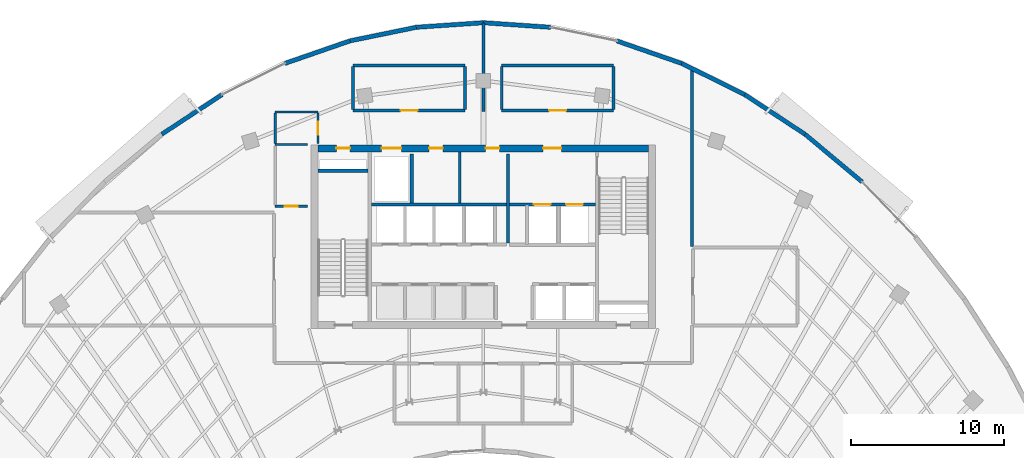
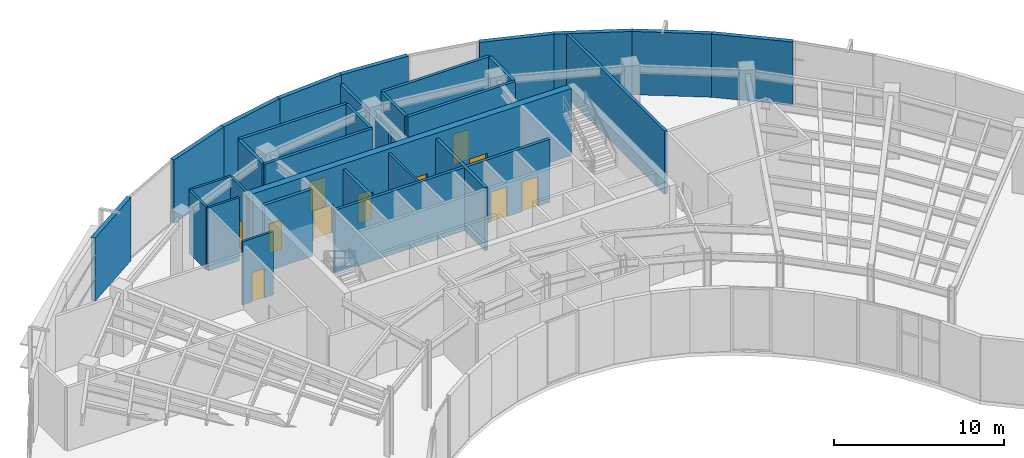
# One storey, part 10 of 15: 31 walls, 11 doors, 11 openings.
"""IFC4 building model written with IfcOpenShell, lengths in metres."""

from ifc_helpers import new_model, si_unit, direction, frame, frame_2d, origin, place, context, subcontext, project, spatial, rectangle, extrude, source, transform, mapped, material, layer, layer_set, type_object, type_shapes, element, fill, save


model = new_model("IFC4")

# Units and contexts
model_context = context("Model", 3, precision=1e-05, world=origin(), true_north=direction((0.0, 1.0)))
body_context = subcontext(model_context, "Body", "Model", "MODEL_VIEW")
ifc_project = project(units=[si_unit("LENGTHUNIT", "METRE"), si_unit("AREAUNIT", "SQUARE_METRE"), si_unit("VOLUMEUNIT", "CUBIC_METRE"), si_unit("PLANEANGLEUNIT", "RADIAN"), si_unit("MASSUNIT", "GRAM", prefix="KILO")], contexts=[model_context])

# Site, building, storey
site_placement = place(None, origin())
site = spatial("IfcSite", under=ifc_project, at=site_placement, CompositionType="ELEMENT")
building_placement = place(site_placement, origin())
building = spatial("IfcBuilding", under=site, at=building_placement, Name="Breltana Convention Tower", CompositionType="ELEMENT")
storey_placement = place(building_placement, frame((0.0, 0.0, 199.199951171875)))
storey = spatial("IfcBuildingStorey", under=building, at=storey_placement, Name="L48", CompositionType="ELEMENT", Elevation=199.199951171875)

# Wall
ifc_material_1 = material(Name="Concrete C50/60", Category="concrete")
ifc_layer_1 = layer(ifc_material_1, 0.39990234375, Name="Concrete C50/60")
ifc_layer_set_1 = layer_set([ifc_layer_1], Name="Concrete C50/60")
wall_type_1 = type_object("IfcWallType", Name="SW-CORE-400", PredefinedType="SHEAR", material=ifc_layer_set_1)
shared_shape_1 = source(origin(), body_context, "Body", "SweptSolid", [
    extrude(rectangle(XDim=3.27001953125, YDim=0.219970703125, at=frame_2d((1.635009765625, 0.0))), origin(), (0.0, 0.0, 1.0), 4.800048828125),
])
wall_1_placement = place(storey_placement, frame((37.199951171875, 70.510009765625, 0.0), z_axis=(0.0, 0.0, 1.0), x_axis=(1.0, 0.0, 0.0)))
element("IfcWall", 1, at=wall_1_placement, inside=storey, type_object=wall_type_1, Name="L48 ST-1 Stairwell North Bearing Wall", PredefinedType="SHEAR", context=body_context, shape_type="MappedRepresentation", body=[
    mapped(shared_shape_1, transform((0.0, 0.0, 0.0), scale=1.0)),
])

# Wall, openings, doors
ifc_material_2 = material(Name="Concrete C60/75", Category="concrete")
ifc_layer_2 = layer(ifc_material_2, 0.449951171875, Name="Concrete C60/75")
ifc_layer_set_2 = layer_set([ifc_layer_2], Name="Concrete C60/75")
wall_type_2 = type_object("IfcWallType", Name="SW-CORE-450", PredefinedType="SHEAR", material=ifc_layer_set_2)
shared_shape_2 = source(origin(), body_context, "Body", "SweptSolid", [
    extrude(rectangle(XDim=21.60009765625, YDim=0.449951171875, at=frame_2d((10.800048828125, 0.0))), origin(), (0.0, 0.0, 1.0), 4.800048828125),
])
wall_2_placement = place(storey_placement, frame((37.199951171875, 71.97509765625, 0.0), z_axis=(0.0, 0.0, 1.0), x_axis=(1.0, 0.0, 0.0)))
wall_2 = element("IfcWall", 2, at=wall_2_placement, inside=storey, type_object=wall_type_2, Name="L48 North Core Shear Wall", PredefinedType="SHEAR", context=body_context, shape_type="MappedRepresentation", body=[
    mapped(shared_shape_2, transform((0.0, 0.0, 0.0), scale=1.0)),
])
opening_1_placement = place(wall_2_placement, frame((1.199951171875, 0.0, 0.0)))
opening_1 = element("IfcOpeningElement", 3, at=opening_1_placement, cuts=wall_2, Name="Opening D-18", PredefinedType="OPENING", context=body_context, shape_type="SweptSolid", body=[
    extrude(rectangle(XDim=0.89990234375, YDim=2.10009765625, at=frame_2d((0.449951171875, 1.050048828125))), frame((0.0, 0.23486328125, 0.0), z_axis=(0.0, -1.0, 0.0), x_axis=(1.0, 0.0, 0.0)), (0.0, 0.0, 1.0), 0.469970703125),
])
opening_2_placement = place(wall_2_placement, frame((14.699951171875, 0.0, 0.0)))
opening_2 = element("IfcOpeningElement", 4, at=opening_2_placement, cuts=wall_2, Name="Opening D-09", PredefinedType="OPENING", context=body_context, shape_type="SweptSolid", body=[
    extrude(rectangle(XDim=1.199951171875, YDim=2.14990234375, at=frame_2d((0.60009765625, 1.074951171875))), frame((0.0, 0.23486328125, 0.0), z_axis=(0.0, -1.0, 0.0), x_axis=(1.0, 0.0, 0.0)), (0.0, 0.0, 1.0), 0.469970703125),
])
opening_3_placement = place(wall_2_placement, frame((4.14990234375, 0.0, 0.0)))
opening_3 = element("IfcOpeningElement", 5, at=opening_3_placement, cuts=wall_2, Name="Opening LD-01", PredefinedType="OPENING", context=body_context, shape_type="SweptSolid", body=[
    extrude(rectangle(XDim=1.300048828125, YDim=2.14990234375, at=frame_2d((0.64990234375, 1.074951171875))), frame((0.0, 0.23486328125, 0.0), z_axis=(0.0, -1.0, 0.0), x_axis=(1.0, 0.0, 0.0)), (0.0, 0.0, 1.0), 0.469970703125),
])
opening_4_placement = place(wall_2_placement, frame((7.25, 0.0, 0.0)))
opening_4 = element("IfcOpeningElement", 6, at=opening_4_placement, cuts=wall_2, Name="Opening D-18", PredefinedType="OPENING", context=body_context, shape_type="SweptSolid", body=[
    extrude(rectangle(XDim=0.89990234375, YDim=2.10009765625, at=frame_2d((0.449951171875, 1.050048828125))), frame((0.0, 0.23486328125, 0.0), z_axis=(0.0, -1.0, 0.0), x_axis=(1.0, 0.0, 0.0)), (0.0, 0.0, 1.0), 0.469970703125),
])
opening_5_placement = place(wall_2_placement, frame((10.949951171875, 0.0, 0.0)))
opening_5 = element("IfcOpeningElement", 7, at=opening_5_placement, cuts=wall_2, Name="Opening D-18", PredefinedType="OPENING", context=body_context, shape_type="SweptSolid", body=[
    extrude(rectangle(XDim=0.89990234375, YDim=2.10009765625, at=frame_2d((0.449951171875, 1.050048828125))), frame((0.0, 0.23486328125, 0.0), z_axis=(0.0, -1.0, 0.0), x_axis=(1.0, 0.0, 0.0)), (0.0, 0.0, 1.0), 0.469970703125),
])
ifc_material_3 = material(Name="Steel Riser Fire Door", Category="steel")
door_type_1 = type_object("IfcDoorType", Name="DR-FD60-900", OperationType="NOTDEFINED", PredefinedType="DOOR", material=ifc_material_3)
shared_shape_3 = source(origin(), body_context, "Body", "SweptSolid", [
    extrude(rectangle(XDim=0.89990234375, YDim=2.10009765625, at=frame_2d((0.449951171875, 1.050048828125))), frame((0.0, 0.02490234375, 0.0), z_axis=(0.0, -1.0, 0.0), x_axis=(1.0, 0.0, 0.0)), (0.0, 0.0, 1.0), 0.050048828125),
])
type_shapes(door_type_1, [shared_shape_3])
door_1_placement = place(opening_1_placement, origin())
door_1 = element("IfcDoor", 8, at=door_1_placement, inside=storey, type_object=door_type_1, Name="L48 Core Riser Access Door D-L48-RS1", OperationType="SINGLE_SWING_LEFT", OverallHeight=2.10009765625, OverallWidth=0.89990234375, PredefinedType="DOOR", context=body_context, shape_type="MappedRepresentation", body=[
    mapped(shared_shape_3, transform((0.0, 0.0, 0.0), scale=1.0)),
])
fill(opening_1, door_1)
door_2_placement = place(opening_4_placement, origin())
door_2 = element("IfcDoor", 9, at=door_2_placement, inside=storey, type_object=door_type_1, Name="L48 interior door D-L48-CRA1", OperationType="SINGLE_SWING_RIGHT", OverallHeight=2.10009765625, OverallWidth=0.89990234375, PredefinedType="DOOR", context=body_context, shape_type="MappedRepresentation", body=[
    mapped(shared_shape_3, transform((0.0, 0.0, 0.0), scale=1.0)),
])
fill(opening_4, door_2)
door_3_placement = place(opening_5_placement, origin())
door_3 = element("IfcDoor", 10, at=door_3_placement, inside=storey, type_object=door_type_1, Name="L48 interior door D-L48-CRA2", OperationType="SINGLE_SWING_LEFT", OverallHeight=2.10009765625, OverallWidth=0.89990234375, PredefinedType="DOOR", context=body_context, shape_type="MappedRepresentation", body=[
    mapped(shared_shape_3, transform((0.0, 0.0, 0.0), scale=1.0)),
])
fill(opening_5, door_3)
ifc_material_4 = material(Name="Steel Fire Lobby Door", Category="steel")
door_type_2 = type_object("IfcDoorType", Name="DR-FD120-1200", OperationType="NOTDEFINED", PredefinedType="DOOR", material=ifc_material_4)
shared_shape_4 = source(origin(), body_context, "Body", "SweptSolid", [
    extrude(rectangle(XDim=1.199951171875, YDim=2.14990234375, at=frame_2d((0.60009765625, 1.074951171875))), frame((0.0, 0.02490234375, 0.0), z_axis=(0.0, -1.0, 0.0), x_axis=(1.0, 0.0, 0.0)), (0.0, 0.0, 1.0), 0.050048828125),
])
type_shapes(door_type_2, [shared_shape_4])
door_4_placement = place(opening_2_placement, origin())
door_4 = element("IfcDoor", 11, at=door_4_placement, inside=storey, type_object=door_type_2, Name="L48 interior door D-L48-FFL-N", OperationType="SINGLE_SWING_RIGHT", OverallHeight=2.14990234375, OverallWidth=1.199951171875, PredefinedType="DOOR", context=body_context, shape_type="MappedRepresentation", body=[
    mapped(shared_shape_4, transform((0.0, 0.0, 0.0), scale=1.0)),
])
fill(opening_2, door_4)
ifc_material_5 = material(Name="Stainless Steel Brushed", Category="steel")
door_type_3 = type_object("IfcDoorType", Name="DR-LD-SRV-1300", OperationType="DOUBLE_DOOR_SLIDING", PredefinedType="DOOR", material=ifc_material_5)
shared_shape_5 = source(origin(), body_context, "Body", "SweptSolid", [
    extrude(rectangle(XDim=1.300048828125, YDim=2.14990234375, at=frame_2d((0.64990234375, 1.074951171875))), frame((0.0, 0.02490234375, 0.0), z_axis=(0.0, -1.0, 0.0), x_axis=(1.0, 0.0, 0.0)), (0.0, 0.0, 1.0), 0.050048828125),
])
type_shapes(door_type_3, [shared_shape_5])
door_5_placement = place(opening_3_placement, origin())
door_5 = element("IfcDoor", 12, at=door_5_placement, inside=storey, type_object=door_type_3, Name="L48 Lift Landing Door D-L48-LD-SV1", OperationType="DOUBLE_DOOR_SLIDING", OverallHeight=2.14990234375, OverallWidth=1.300048828125, PredefinedType="DOOR", context=body_context, shape_type="MappedRepresentation", body=[
    mapped(shared_shape_5, transform((0.0, 0.0, 0.0), scale=1.0)),
])
fill(opening_3, door_5)

# Walls
ifc_material_6 = material(Name="Limestone Buff Insulated Wall", Category="masonry")
ifc_layer_3 = layer(ifc_material_6, 0.280029296875, Name="Limestone Buff Insulated Wall")
ifc_layer_set_3 = layer_set([ifc_layer_3], Name="Limestone Buff Insulated Wall")
wall_type_3 = type_object("IfcWallType", Name="WL-EXT-NOSE-280", PredefinedType="SOLIDWALL", material=ifc_layer_set_3)
shared_shape_6 = source(origin(), body_context, "Body", "SweptSolid", [
    extrude(rectangle(XDim=4.851806640625, YDim=0.280029296875, at=frame_2d((2.42578125, 0.0))), origin(), (0.0, 0.0, 1.0), 4.5400390625),
])
wall_3_placement = place(storey_placement, frame((69.006103515625, 72.8955078125, 0.0), z_axis=(0.0, 0.0, 1.0), x_axis=(0.767936605821, -0.640525853843, 0.0)))
element("IfcWall", 13, at=wall_3_placement, inside=storey, type_object=wall_type_3, Name="L48 curved limestone nose wall E31", PredefinedType="SOLIDWALL", context=body_context, shape_type="MappedRepresentation", body=[
    mapped(shared_shape_6, transform((0.0, 0.0, 0.0), scale=1.0)),
])
shared_shape_7 = source(origin(), body_context, "Body", "SweptSolid", [
    extrude(rectangle(XDim=4.712646484375, YDim=0.280029296875, at=frame_2d((2.3564453125, 0.0))), origin(), (0.0, 0.0, 1.0), 4.5400390625),
])
for number, where, z_axis, x_axis, name in (
    (14, (26.993896484375, 72.8955078125, 0.0), (0.0, 0.0, 1.0), (0.835974386457, 0.548768462275, 0.0), "L48 curved limestone nose wall E23"),
    (15, (65.06640625, 75.481689453125, 0.0), (0.0, 0.0, 1.0), (0.835974386457, -0.548768462275, 0.0), "L48 curved limestone nose wall E30"),
):
    element("IfcWall", number, at=place(storey_placement, frame(where, z_axis=z_axis, x_axis=x_axis)), inside=storey, type_object=wall_type_3, Name=name, PredefinedType="SOLIDWALL", context=body_context, shape_type="MappedRepresentation", body=[
        mapped(shared_shape_7, transform((0.0, 0.0, 0.0), scale=1.0)),
    ])
shared_shape_8 = source(origin(), body_context, "Body", "SweptSolid", [
    extrude(rectangle(XDim=4.4921875, YDim=0.280029296875, at=frame_2d((2.24609375, 0.0))), origin(), (0.0, 0.0, 1.0), 4.5400390625),
])
for number, where, z_axis, x_axis, name in (
    (16, (35.04638671875, 77.520263671875, 0.0), (0.0, 0.0, 1.0), (0.944872297412, 0.32743906545, 0.0), "L48 curved limestone nose wall E24"),
    (17, (56.708984375, 78.9912109375, 0.0), (0.0, 0.0, 1.0), (0.944872297412, -0.32743906545, 0.0), "L48 curved limestone nose wall E28"),
):
    element("IfcWall", number, at=place(storey_placement, frame(where, z_axis=z_axis, x_axis=x_axis)), inside=storey, type_object=wall_type_3, Name=name, PredefinedType="SOLIDWALL", context=body_context, shape_type="MappedRepresentation", body=[
        mapped(shared_shape_8, transform((0.0, 0.0, 0.0), scale=1.0)),
    ])
shared_shape_9 = source(origin(), body_context, "Body", "SweptSolid", [
    extrude(rectangle(XDim=4.42236328125, YDim=0.280029296875, at=frame_2d((2.211181640625, 0.0))), origin(), (0.0, 0.0, 1.0), 4.5400390625),
])
wall_4_placement = place(storey_placement, frame((39.291015625, 78.9912109375, 0.0), z_axis=(0.0, 0.0, 1.0), x_axis=(0.979624428875, 0.200838189476, 0.0)))
element("IfcWall", 18, at=wall_4_placement, inside=storey, type_object=wall_type_3, Name="L48 curved limestone nose wall E25", PredefinedType="SOLIDWALL", context=body_context, shape_type="MappedRepresentation", body=[
    mapped(shared_shape_9, transform((0.0, 0.0, 0.0), scale=1.0)),
])
shared_shape_10 = source(origin(), body_context, "Body", "SweptSolid", [
    extrude(rectangle(XDim=4.38671875, YDim=0.280029296875, at=frame_2d((2.193359375, 0.0))), origin(), (0.0, 0.0, 1.0), 4.5400390625),
])
for number, where, z_axis, x_axis, name in (
    (19, (43.623291015625, 79.87939453125, 0.0), (0.0, 0.0, 1.0), (0.997703650546, 0.06773053733, 0.0), "L48 curved limestone nose wall E26"),
    (20, (48.0, 80.176513671875, 0.0), (0.0, 0.0, 1.0), (0.997703650546, -0.06773053733, 0.0), "L48 curved limestone nose wall E27"),
):
    element("IfcWall", number, at=place(storey_placement, frame(where, z_axis=z_axis, x_axis=x_axis)), inside=storey, type_object=wall_type_3, Name=name, PredefinedType="SOLIDWALL", context=body_context, shape_type="MappedRepresentation", body=[
        mapped(shared_shape_10, transform((0.0, 0.0, 0.0), scale=1.0)),
    ])
shared_shape_11 = source(origin(), body_context, "Body", "SweptSolid", [
    extrude(rectangle(XDim=4.59033203125, YDim=0.280029296875, at=frame_2d((2.295166015625, 0.0))), origin(), (0.0, 0.0, 1.0), 4.5400390625),
])
wall_5_placement = place(storey_placement, frame((60.95361328125, 77.520263671875, 0.0), z_axis=(0.0, 0.0, 1.0), x_axis=(0.895974834987, -0.444104824418, 0.0)))
element("IfcWall", 21, at=wall_5_placement, inside=storey, type_object=wall_type_3, Name="L48 curved limestone nose wall E29", PredefinedType="SOLIDWALL", context=body_context, shape_type="MappedRepresentation", body=[
    mapped(shared_shape_11, transform((0.0, 0.0, 0.0), scale=1.0)),
])

# Wall, openings, doors
ifc_material_7 = material(Name="Autoclaved Aerated Concrete Block", Category="concrete")
ifc_layer_4 = layer(ifc_material_7, 0.199951171875, Name="Autoclaved Aerated Concrete Block")
ifc_layer_set_4 = layer_set([ifc_layer_4], Name="Autoclaved Aerated Concrete Block")
wall_type_4 = type_object("IfcWallType", Name="WL-SHAFT-200", PredefinedType="SOLIDWALL", material=ifc_layer_set_4)
shared_shape_12 = source(origin(), body_context, "Body", "SweptSolid", [
    extrude(rectangle(XDim=5.6201171875, YDim=0.199951171875, at=frame_2d((2.81005859375, 0.0))), origin(), (0.0, 0.0, 1.0), 4.5400390625),
])
wall_6_placement = place(storey_placement, frame((49.699951171875, 68.300048828125, 0.0), z_axis=(0.0, 0.0, 1.0), x_axis=(1.0, 0.0, 0.0)))
wall_6 = element("IfcWall", 22, at=wall_6_placement, inside=storey, type_object=wall_type_4, Name="L48 interior partition W-L48-FFL-S", PredefinedType="SOLIDWALL", context=body_context, shape_type="MappedRepresentation", body=[
    mapped(shared_shape_12, transform((0.0, 0.0, 0.0), scale=1.0)),
])
opening_6_placement = place(wall_6_placement, frame((1.60009765625, 0.0, 0.0)))
opening_6 = element("IfcOpeningElement", 23, at=opening_6_placement, cuts=wall_6, Name="Opening LD-03", PredefinedType="OPENING", context=body_context, shape_type="SweptSolid", body=[
    extrude(rectangle(XDim=1.10009765625, YDim=2.14990234375, at=frame_2d((0.550048828125, 1.074951171875))), frame((0.0, 0.10986328125, 0.0), z_axis=(0.0, -1.0, 0.0), x_axis=(1.0, 0.0, 0.0)), (0.0, 0.0, 1.0), 0.219970703125),
])
opening_7_placement = place(wall_6_placement, frame((3.699951171875, 0.0, 0.0)))
opening_7 = element("IfcOpeningElement", 24, at=opening_7_placement, cuts=wall_6, Name="Opening LD-03", PredefinedType="OPENING", context=body_context, shape_type="SweptSolid", body=[
    extrude(rectangle(XDim=1.10009765625, YDim=2.14990234375, at=frame_2d((0.550048828125, 1.074951171875))), frame((0.0, 0.10986328125, 0.0), z_axis=(0.0, -1.0, 0.0), x_axis=(1.0, 0.0, 0.0)), (0.0, 0.0, 1.0), 0.219970703125),
])
door_type_4 = type_object("IfcDoorType", Name="DR-LD-FF-1100", OperationType="DOUBLE_DOOR_SLIDING", PredefinedType="DOOR", material=ifc_material_5)
shared_shape_13 = source(origin(), body_context, "Body", "SweptSolid", [
    extrude(rectangle(XDim=1.10009765625, YDim=2.14990234375, at=frame_2d((0.550048828125, 1.074951171875))), frame((0.0, 0.02490234375, 0.0), z_axis=(0.0, -1.0, 0.0), x_axis=(1.0, 0.0, 0.0)), (0.0, 0.0, 1.0), 0.050048828125),
])
type_shapes(door_type_4, [shared_shape_13])
door_6_placement = place(opening_6_placement, origin())
door_6 = element("IfcDoor", 25, at=door_6_placement, inside=storey, type_object=door_type_4, Name="L48 Lift Landing Door D-L48-LD-FL1", OperationType="DOUBLE_DOOR_SLIDING", OverallHeight=2.14990234375, OverallWidth=1.10009765625, PredefinedType="DOOR", context=body_context, shape_type="MappedRepresentation", body=[
    mapped(shared_shape_13, transform((0.0, 0.0, 0.0), scale=1.0)),
])
fill(opening_6, door_6)
door_7_placement = place(opening_7_placement, origin())
door_7 = element("IfcDoor", 26, at=door_7_placement, inside=storey, type_object=door_type_4, Name="L48 Lift Landing Door D-L48-LD-FL2", OperationType="DOUBLE_DOOR_SLIDING", OverallHeight=2.14990234375, OverallWidth=1.10009765625, PredefinedType="DOOR", context=body_context, shape_type="MappedRepresentation", body=[
    mapped(shared_shape_13, transform((0.0, 0.0, 0.0), scale=1.0)),
])
fill(opening_7, door_7)

# Walls
shared_shape_14 = source(origin(), body_context, "Body", "SweptSolid", [
    extrude(rectangle(XDim=5.800048828125, YDim=0.199951171875, at=frame_2d((2.89990234375, 0.0))), origin(), (0.0, 0.0, 1.0), 4.5400390625),
])
wall_7_placement = place(storey_placement, frame((49.60009765625, 65.800048828125, 0.0), z_axis=(0.0, 0.0, 1.0), x_axis=(0.0, 1.0, 0.0)))
element("IfcWall", 27, at=wall_7_placement, inside=storey, type_object=wall_type_4, Name="L48 interior partition W-L48-FFL-W", PredefinedType="SOLIDWALL", context=body_context, shape_type="MappedRepresentation", body=[
    mapped(shared_shape_14, transform((0.0, 0.0, 0.0), scale=1.0)),
])
shared_shape_15 = source(origin(), body_context, "Body", "SweptSolid", [
    extrude(rectangle(XDim=3.2001953125, YDim=0.199951171875, at=frame_2d((1.60009765625, 0.0))), origin(), (0.0, 0.0, 1.0), 4.5400390625),
])
wall_8_placement = place(storey_placement, frame((43.320068359375, 68.39990234375, 0.0), z_axis=(0.0, 0.0, 1.0), x_axis=(0.0, 1.0, 0.0)))
element("IfcWall", 28, at=wall_8_placement, inside=storey, type_object=wall_type_4, Name="L48 interior partition W-L48-SV-E", PredefinedType="SOLIDWALL", context=body_context, shape_type="MappedRepresentation", body=[
    mapped(shared_shape_15, transform((0.0, 0.0, 0.0), scale=1.0)),
])
shared_shape_16 = source(origin(), body_context, "Body", "SweptSolid", [
    extrude(rectangle(XDim=8.800048828125, YDim=0.199951171875, at=frame_2d((4.39990234375, 0.0))), origin(), (0.0, 0.0, 1.0), 4.5400390625),
])
wall_9_placement = place(storey_placement, frame((40.699951171875, 68.300048828125, 0.0), z_axis=(0.0, 0.0, 1.0), x_axis=(1.0, 0.0, 0.0)))
element("IfcWall", 29, at=wall_9_placement, inside=storey, type_object=wall_type_4, Name="L48 interior partition W-L48-SV-S", PredefinedType="SOLIDWALL", context=body_context, shape_type="MappedRepresentation", body=[
    mapped(shared_shape_16, transform((0.0, 0.0, 0.0), scale=1.0)),
])
ifc_material_8 = material(Name="Gypsum Acoustic Drywall Partition")
ifc_layer_5 = layer(ifc_material_8, 0.14990234375, Name="Gypsum Acoustic Drywall Partition")
ifc_layer_set_5 = layer_set([ifc_layer_5], Name="Gypsum Acoustic Drywall Partition")
wall_type_5 = type_object("IfcWallType", Name="WL-PART-150", PredefinedType="PARTITIONING", material=ifc_layer_set_5)
shared_shape_17 = source(origin(), body_context, "Body", "SweptSolid", [
    extrude(rectangle(XDim=2.10009765625, YDim=0.14990234375, at=frame_2d((1.050048828125, 0.0))), origin(), (0.0, 0.0, 1.0), 4.5400390625),
])
wall_10_placement = place(storey_placement, frame((34.39990234375, 72.219970703125, 0.0), z_axis=(0.0, 0.0, 1.0), x_axis=(1.0, 0.0, 0.0)))
element("IfcWall", 30, at=wall_10_placement, inside=storey, type_object=wall_type_5, Name="L48 interior partition W-L48-CRNW-S", PredefinedType="PARTITIONING", context=body_context, shape_type="MappedRepresentation", body=[
    mapped(shared_shape_17, transform((0.0, 0.0, 0.0), scale=1.0)),
])

# Wall, opening, door
wall_11_placement = place(storey_placement, frame((34.39990234375, 68.199951171875, 0.0), z_axis=(0.0, 0.0, 1.0), x_axis=(1.0, 0.0, 0.0)))
wall_11 = element("IfcWall", 31, at=wall_11_placement, inside=storey, type_object=wall_type_5, Name="L48 interior partition W-L48-CRSW-S", PredefinedType="PARTITIONING", context=body_context, shape_type="MappedRepresentation", body=[
    mapped(shared_shape_17, transform((0.0, 0.0, 0.0), scale=1.0)),
])
opening_8_placement = place(wall_11_placement, frame((0.625, 0.0, 0.0)))
opening_8 = element("IfcOpeningElement", 32, at=opening_8_placement, cuts=wall_11, Name="Opening D-20", PredefinedType="OPENING", context=body_context, shape_type="SweptSolid", body=[
    extrude(rectangle(XDim=0.85009765625, YDim=2.10009765625, at=frame_2d((0.425048828125, 1.050048828125))), frame((0.0, 0.0849609375, 0.0), z_axis=(0.0, -1.0, 0.0), x_axis=(1.0, 0.0, 0.0)), (0.0, 0.0, 1.0), 0.169921875),
])
ifc_material_9 = material(Name="Steel Closet Fire Door", Category="steel")
door_type_5 = type_object("IfcDoorType", Name="DR-FD60-850", OperationType="NOTDEFINED", PredefinedType="DOOR", material=ifc_material_9)
shared_shape_18 = source(origin(), body_context, "Body", "SweptSolid", [
    extrude(rectangle(XDim=0.85009765625, YDim=2.10009765625, at=frame_2d((0.425048828125, 1.050048828125))), frame((0.0, 0.02490234375, 0.0), z_axis=(0.0, -1.0, 0.0), x_axis=(1.0, 0.0, 0.0)), (0.0, 0.0, 1.0), 0.050048828125),
])
type_shapes(door_type_5, [shared_shape_18])
door_8_placement = place(opening_8_placement, origin())
door_8 = element("IfcDoor", 33, at=door_8_placement, inside=storey, type_object=door_type_5, Name="L48 interior door D-L48-CRSW", OperationType="SINGLE_SWING_LEFT", OverallHeight=2.10009765625, OverallWidth=0.85009765625, PredefinedType="DOOR", context=body_context, shape_type="MappedRepresentation", body=[
    mapped(shared_shape_18, transform((0.0, 0.0, 0.0), scale=1.0)),
])
fill(opening_8, door_8)

# Wall
shared_shape_19 = source(origin(), body_context, "Body", "SweptSolid", [
    extrude(rectangle(XDim=1.994873046875, YDim=0.14990234375, at=frame_2d((0.99755859375, 0.0))), origin(), (0.0, 0.0, 1.0), 4.5400390625),
])
wall_12_placement = place(storey_placement, frame((34.39990234375, 72.28759765625, 0.0), z_axis=(0.0, 0.0, 1.0), x_axis=(0.0, 1.0, 0.0)))
element("IfcWall", 34, at=wall_12_placement, inside=storey, type_object=wall_type_5, Name="L48 interior partition W-L48-CRNW-W", PredefinedType="PARTITIONING", context=body_context, shape_type="MappedRepresentation", body=[
    mapped(shared_shape_19, transform((0.0, 0.0, 0.0), scale=1.0)),
])

# Wall, opening, door
shared_shape_20 = source(origin(), body_context, "Body", "SweptSolid", [
    extrude(rectangle(XDim=1.982421875, YDim=0.14990234375, at=frame_2d((0.9912109375, 0.0))), origin(), (0.0, 0.0, 1.0), 4.5400390625),
])
wall_13_placement = place(storey_placement, frame((37.199951171875, 72.300048828125, 0.0), z_axis=(0.0, 0.0, 1.0), x_axis=(0.0, 1.0, 0.0)))
wall_13 = element("IfcWall", 35, at=wall_13_placement, inside=storey, type_object=wall_type_5, Name="L48 interior partition W-L48-CRNW-E", PredefinedType="PARTITIONING", context=body_context, shape_type="MappedRepresentation", body=[
    mapped(shared_shape_20, transform((0.0, 0.0, 0.0), scale=1.0)),
])
opening_9_placement = place(wall_13_placement, frame((0.56640625, 0.0, 0.0)))
opening_9 = element("IfcOpeningElement", 36, at=opening_9_placement, cuts=wall_13, Name="Opening D-20", PredefinedType="OPENING", context=body_context, shape_type="SweptSolid", body=[
    extrude(rectangle(XDim=0.85009765625, YDim=2.10009765625, at=frame_2d((0.425048828125, 1.050048828125))), frame((0.0, 0.0849609375, 0.0), z_axis=(0.0, -1.0, 0.0), x_axis=(1.0, 0.0, 0.0)), (0.0, 0.0, 1.0), 0.169921875),
])
door_9_placement = place(opening_9_placement, origin())
door_9 = element("IfcDoor", 37, at=door_9_placement, inside=storey, type_object=door_type_5, Name="L48 interior door D-L48-CRNW", OperationType="SINGLE_SWING_RIGHT", OverallHeight=2.10009765625, OverallWidth=0.85009765625, PredefinedType="DOOR", context=body_context, shape_type="MappedRepresentation", body=[
    mapped(shared_shape_18, transform((0.0, 0.0, 0.0), scale=1.0)),
])
fill(opening_9, door_9)

# Walls
shared_shape_21 = source(origin(), body_context, "Body", "SweptSolid", [
    extrude(rectangle(XDim=3.330078125, YDim=0.14990234375, at=frame_2d((1.6650390625, 0.0))), origin(), (0.0, 0.0, 1.0), 4.5400390625),
])
wall_14_placement = place(storey_placement, frame((46.449951171875, 68.39990234375, 0.0), z_axis=(0.0, 0.0, 1.0), x_axis=(0.0, 1.0, 0.0)))
element("IfcWall", 38, at=wall_14_placement, inside=storey, type_object=wall_type_5, Name="L48 interior partition W-L48-KV-1", PredefinedType="PARTITIONING", context=body_context, shape_type="MappedRepresentation", body=[
    mapped(shared_shape_21, transform((0.0, 0.0, 0.0), scale=1.0)),
])
shared_shape_22 = source(origin(), body_context, "Body", "SweptSolid", [
    extrude(rectangle(XDim=2.800048828125, YDim=0.14990234375, at=frame_2d((1.39990234375, 0.0))), origin(), (0.0, 0.0, 1.0), 4.5400390625),
])
wall_15_placement = place(storey_placement, frame((34.39990234375, 74.35009765625, 0.0), z_axis=(0.0, 0.0, 1.0), x_axis=(1.0, 0.0, 0.0)))
element("IfcWall", 39, at=wall_15_placement, inside=storey, type_object=wall_type_5, Name="L48 interior partition W-L48-CRNW-N", PredefinedType="PARTITIONING", context=body_context, shape_type="MappedRepresentation", body=[
    mapped(shared_shape_22, transform((0.0, 0.0, 0.0), scale=1.0)),
])

# Wall, opening, door
ifc_material_10 = material(Name="Gypsum Acoustic Hotel Wall")
ifc_layer_6 = layer(ifc_material_10, 0.195068359375, Name="Gypsum Acoustic Hotel Wall")
ifc_layer_set_6 = layer_set([ifc_layer_6], Name="Gypsum Acoustic Hotel Wall")
wall_type_6 = type_object("IfcWallType", Name="WL-HOTEL-200", PredefinedType="PARTITIONING", material=ifc_layer_set_6)
shared_shape_23 = source(origin(), body_context, "Body", "SweptSolid", [
    extrude(rectangle(XDim=7.300048828125, YDim=0.195068359375, at=frame_2d((3.64990234375, 0.0))), origin(), (0.0, 0.0, 1.0), 4.5400390625),
])
wall_16_placement = place(storey_placement, frame((39.5, 74.43994140625, 0.0), z_axis=(0.0, 0.0, 1.0), x_axis=(1.0, 0.0, 0.0)))
wall_16 = element("IfcWall", 40, at=wall_16_placement, inside=storey, type_object=wall_type_6, Name="L48 interior partition W-L48-SHN1-S", PredefinedType="PARTITIONING", context=body_context, shape_type="MappedRepresentation", body=[
    mapped(shared_shape_23, transform((0.0, 0.0, 0.0), scale=1.0)),
])
opening_10_placement = place(wall_16_placement, frame((3.10009765625, 0.0, 0.0)))
opening_10 = element("IfcOpeningElement", 41, at=opening_10_placement, cuts=wall_16, Name="Opening D-12", PredefinedType="OPENING", context=body_context, shape_type="SweptSolid", body=[
    extrude(rectangle(XDim=1.10009765625, YDim=2.14990234375, at=frame_2d((0.550048828125, 1.074951171875))), frame((0.0, 0.107421875, 0.0), z_axis=(0.0, -1.0, 0.0), x_axis=(1.0, 0.0, 0.0)), (0.0, 0.0, 1.0), 0.215087890625),
])
ifc_material_11 = material(Name="Timber Oak Acoustic Door", Category="wood")
door_type_6 = type_object("IfcDoorType", Name="DR-INT-1100", OperationType="NOTDEFINED", PredefinedType="DOOR", material=ifc_material_11)
shared_shape_24 = source(origin(), body_context, "Body", "SweptSolid", [
    extrude(rectangle(XDim=1.10009765625, YDim=2.14990234375, at=frame_2d((0.550048828125, 1.074951171875))), frame((0.0, 0.02490234375, 0.0), z_axis=(0.0, -1.0, 0.0), x_axis=(1.0, 0.0, 0.0)), (0.0, 0.0, 1.0), 0.050048828125),
])
type_shapes(door_type_6, [shared_shape_24])
door_10_placement = place(opening_10_placement, origin())
door_10 = element("IfcDoor", 42, at=door_10_placement, inside=storey, type_object=door_type_6, Name="L48 interior door D-L48-SHN1", OperationType="SINGLE_SWING_RIGHT", OverallHeight=2.14990234375, OverallWidth=1.10009765625, PredefinedType="DOOR", context=body_context, shape_type="MappedRepresentation", body=[
    mapped(shared_shape_24, transform((0.0, 0.0, 0.0), scale=1.0)),
])
fill(opening_10, door_10)

# Wall
wall_17_placement = place(storey_placement, frame((39.5, 77.39990234375, 0.0), z_axis=(0.0, 0.0, 1.0), x_axis=(1.0, 0.0, 0.0)))
element("IfcWall", 43, at=wall_17_placement, inside=storey, type_object=wall_type_6, Name="L48 interior partition W-L48-SHN1-N", PredefinedType="PARTITIONING", context=body_context, shape_type="MappedRepresentation", body=[
    mapped(shared_shape_23, transform((0.0, 0.0, 0.0), scale=1.0)),
])

# Wall, opening, door
wall_18_placement = place(storey_placement, frame((49.199951171875, 74.43994140625, 0.0), z_axis=(0.0, 0.0, 1.0), x_axis=(1.0, 0.0, 0.0)))
wall_18 = element("IfcWall", 44, at=wall_18_placement, inside=storey, type_object=wall_type_6, Name="L48 interior partition W-L48-SHN2-S", PredefinedType="PARTITIONING", context=body_context, shape_type="MappedRepresentation", body=[
    mapped(shared_shape_23, transform((0.0, 0.0, 0.0), scale=1.0)),
])
opening_11_placement = place(wall_18_placement, frame((3.10009765625, 0.0, 0.0)))
opening_11 = element("IfcOpeningElement", 45, at=opening_11_placement, cuts=wall_18, Name="Opening D-12", PredefinedType="OPENING", context=body_context, shape_type="SweptSolid", body=[
    extrude(rectangle(XDim=1.10009765625, YDim=2.14990234375, at=frame_2d((0.550048828125, 1.074951171875))), frame((0.0, 0.107421875, 0.0), z_axis=(0.0, -1.0, 0.0), x_axis=(1.0, 0.0, 0.0)), (0.0, 0.0, 1.0), 0.215087890625),
])
door_11_placement = place(opening_11_placement, origin())
door_11 = element("IfcDoor", 46, at=door_11_placement, inside=storey, type_object=door_type_6, Name="L48 interior door D-L48-SHN2", OperationType="SINGLE_SWING_LEFT", OverallHeight=2.14990234375, OverallWidth=1.10009765625, PredefinedType="DOOR", context=body_context, shape_type="MappedRepresentation", body=[
    mapped(shared_shape_24, transform((0.0, 0.0, 0.0), scale=1.0)),
])
fill(opening_11, door_11)

# Walls
wall_19_placement = place(storey_placement, frame((49.199951171875, 77.39990234375, 0.0), z_axis=(0.0, 0.0, 1.0), x_axis=(1.0, 0.0, 0.0)))
element("IfcWall", 47, at=wall_19_placement, inside=storey, type_object=wall_type_6, Name="L48 interior partition W-L48-SHN2-N", PredefinedType="PARTITIONING", context=body_context, shape_type="MappedRepresentation", body=[
    mapped(shared_shape_23, transform((0.0, 0.0, 0.0), scale=1.0)),
])
shared_shape_25 = source(origin(), body_context, "Body", "SweptSolid", [
    extrude(rectangle(XDim=2.78466796875, YDim=0.195068359375, at=frame_2d((1.392333984375, 0.0))), origin(), (0.0, 0.0, 1.0), 4.5400390625),
])
for number, where, z_axis, x_axis, name in (
    (48, (39.5, 74.527587890625, 0.0), (0.0, 0.0, 1.0), (0.0, 1.0, 0.0), "L48 interior partition W-L48-SHN1-W"),
    (49, (46.800048828125, 74.527587890625, 0.0), (0.0, 0.0, 1.0), (0.0, 1.0, 0.0), "L48 interior partition W-L48-SHN1-E"),
    (50, (49.199951171875, 74.527587890625, 0.0), (0.0, 0.0, 1.0), (0.0, 1.0, 0.0), "L48 interior partition W-L48-SHN2-W"),
    (51, (56.5, 74.527587890625, 0.0), (0.0, 0.0, 1.0), (0.0, 1.0, 0.0), "L48 interior partition W-L48-SHN2-E"),
):
    element("IfcWall", number, at=place(storey_placement, frame(where, z_axis=z_axis, x_axis=x_axis)), inside=storey, type_object=wall_type_6, Name=name, PredefinedType="PARTITIONING", context=body_context, shape_type="MappedRepresentation", body=[
        mapped(shared_shape_25, transform((0.0, 0.0, 0.0), scale=1.0)),
    ])
shared_shape_26 = source(origin(), body_context, "Body", "SweptSolid", [
    extrude(rectangle(XDim=5.78662109375, YDim=0.195068359375, at=frame_2d((2.893310546875, 0.0))), origin(), (0.0, 0.0, 1.0), 3.89794921875),
])
wall_20_placement = place(storey_placement, frame((48.0, 74.3798828125, 0.0), z_axis=(0.0, 0.0, 1.0), x_axis=(0.0, 1.0, 0.0)))
element("IfcWall", 52, at=wall_20_placement, inside=storey, type_object=wall_type_6, Name="L48 interior partition W-L48-L48-MN", PredefinedType="PARTITIONING", context=body_context, shape_type="MappedRepresentation", body=[
    mapped(shared_shape_26, transform((0.0, 0.0, 0.0), scale=1.0)),
])
shared_shape_27 = source(origin(), body_context, "Body", "SweptSolid", [
    extrude(rectangle(XDim=11.61865234375, YDim=0.195068359375, at=frame_2d((5.809326171875, 0.0))), origin(), (0.0, 0.0, 1.0), 4.5400390625),
])
wall_21_placement = place(storey_placement, frame((61.639892578125, 65.550048828125, 0.0), z_axis=(0.0, 0.0, 1.0), x_axis=(0.0, 1.0, 0.0)))
element("IfcWall", 53, at=wall_21_placement, inside=storey, type_object=wall_type_6, Name="L48 interior partition W-L48-L48-EN", PredefinedType="PARTITIONING", context=body_context, shape_type="MappedRepresentation", body=[
    mapped(shared_shape_27, transform((0.0, 0.0, 0.0), scale=1.0)),
])

save(model, "model.ifc")
